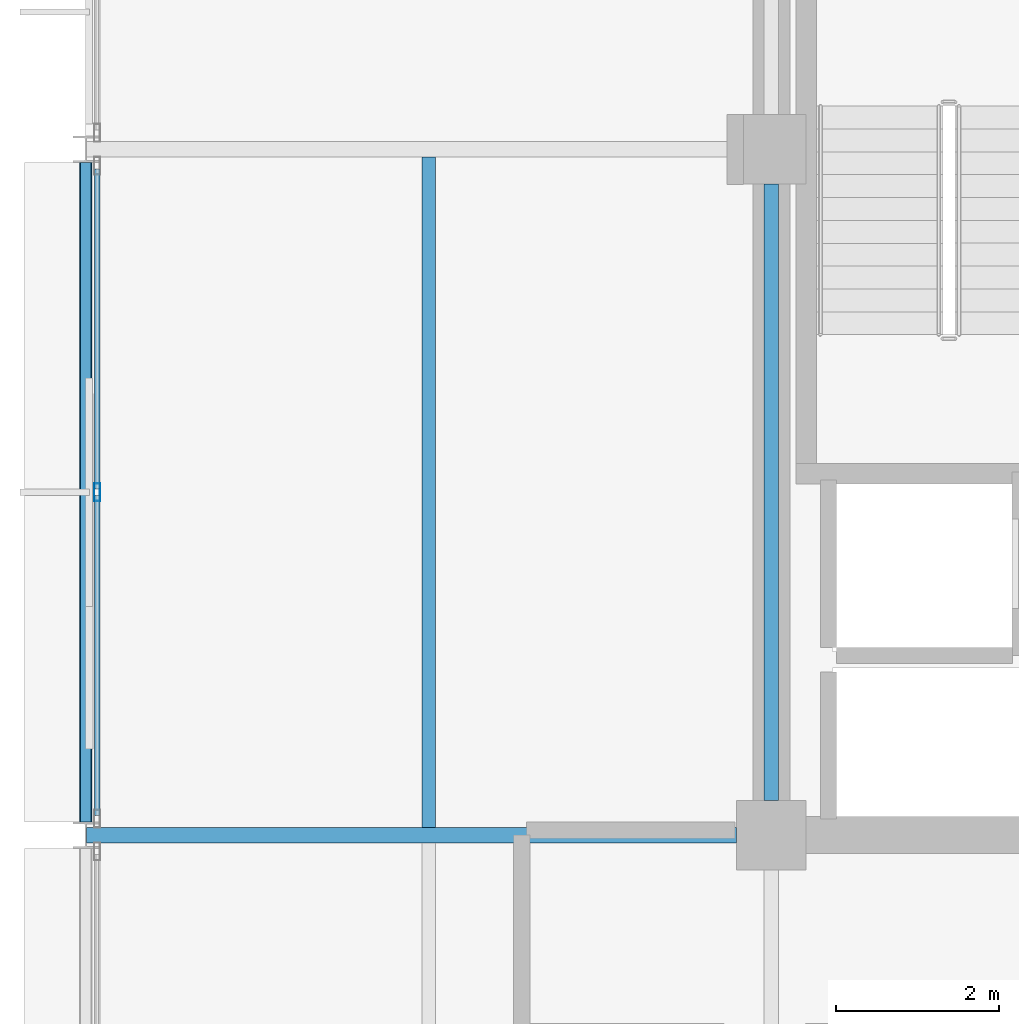
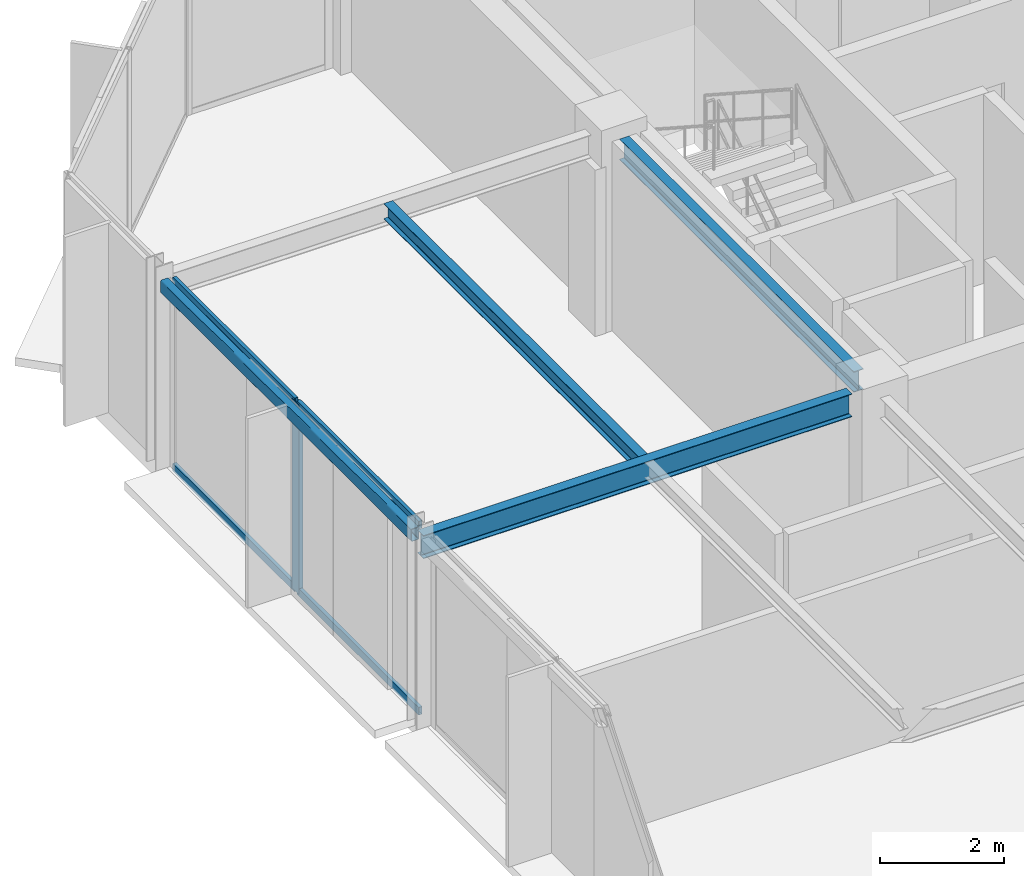
# One storey, part 8 of 23: 5 members, 4 beams, 1 element without a shape of its own.
"""IFC4 building model written with IfcOpenShell, lengths in metres."""

from ifc_helpers import new_model, si_unit, direction, frame, origin, origin_2d, place, context, subcontext, project, spatial, hollow_rectangle, i_section, extrude, material, layer, layer_set, material_profile, profile_set, type_object, element, aggregate, save


model = new_model("IFC4")

# Units and contexts
model_context = context("Model", 3, precision=1e-05, world=origin(), true_north=direction((0.0, 1.0)))
body_context = subcontext(model_context, "Body", "Model", "MODEL_VIEW")
ifc_project = project(units=[si_unit("LENGTHUNIT", "METRE"), si_unit("AREAUNIT", "SQUARE_METRE"), si_unit("VOLUMEUNIT", "CUBIC_METRE"), si_unit("PLANEANGLEUNIT", "RADIAN"), si_unit("MASSUNIT", "GRAM", prefix="KILO")], contexts=[model_context])

# Site, building, storey
site_placement = place(None, origin())
site = spatial("IfcSite", under=ifc_project, at=site_placement, CompositionType="ELEMENT")
building_placement = place(site_placement, origin())
building = spatial("IfcBuilding", under=site, at=building_placement, Name="Nerrivon Quay Data Exchange", CompositionType="ELEMENT")
storey_placement = place(building_placement, frame((0.0, 0.0, 286.199951171875)))
storey = spatial("IfcBuildingStorey", under=building, at=storey_placement, Name="L68", CompositionType="ELEMENT", Elevation=286.199951171875)

# Beams
ifc_material_1 = material(Name="Steel Grade 350", Category="steel")
ifc_material_profile_1 = material_profile(ifc_material_1, i_section(OverallWidth=0.18994140625, OverallDepth=0.4541015625, WebThickness=0.008544921875, FlangeThickness=0.0126953125, FilletRadius=0.011474609375, at=origin_2d()), Name="460UB67.1")
ifc_profile_set_1 = profile_set([ifc_material_profile_1], Name="Steel Grade 350")
beam_type_1 = type_object("IfcBeamType", Name="BM-G6-460UB67", PredefinedType="BEAM", material=ifc_profile_set_1)
beam_1_placement = place(storey_placement, frame((0.0078125, 25.199951171875, 3.498046875), z_axis=(1.0, 0.0, 0.0), x_axis=(0.0, 1.0, 0.0)))
element("IfcBeam", 1, at=beam_1_placement, inside=storey, type_object=beam_type_1, Name="L68 EW Girder Y=25.2 (0.0..8.4)", PredefinedType="BEAM", context=body_context, shape_type="SweptSolid", body=[
    extrude(i_section(OverallWidth=0.18994140625, OverallDepth=0.4541015625, WebThickness=0.008544921875, FlangeThickness=0.0126953125, FilletRadius=0.011474609375, at=origin_2d()), origin(), (0.0, 0.0, 1.0), 7.96728515625),
])
ifc_material_profile_2 = material_profile(ifc_material_1, i_section(OverallWidth=0.177978515625, OverallDepth=0.406005859375, WebThickness=0.0078125, FlangeThickness=0.0126953125, FilletRadius=0.011474609375, at=origin_2d()), Name="410UB59.7")
ifc_profile_set_2 = profile_set([ifc_material_profile_2], Name="Steel Grade 350")
beam_type_2 = type_object("IfcBeamType", Name="BM-J1-410UB60", PredefinedType="JOIST", material=ifc_profile_set_2)
beam_2_placement = place(storey_placement, frame((8.39990234375, 25.625, 3.52197265625), z_axis=(0.0, 1.0, 0.0), x_axis=(-1.0, 0.0, 0.0)))
element("IfcBeam", 2, at=beam_2_placement, inside=storey, type_object=beam_type_2, Name="L68 NS Girder X=8.4 (25.2..33.6)", PredefinedType="JOIST", context=body_context, shape_type="SweptSolid", body=[
    extrude(i_section(OverallWidth=0.177978515625, OverallDepth=0.406005859375, WebThickness=0.0078125, FlangeThickness=0.0126953125, FilletRadius=0.011474609375, at=origin_2d()), origin(), (0.0, 0.0, 1.0), 7.550048828125),
])
ifc_material_profile_3 = material_profile(ifc_material_1, i_section(OverallWidth=0.1650390625, OverallDepth=0.303955078125, WebThickness=0.006103515625, FlangeThickness=0.01025390625, FilletRadius=0.011474609375, at=origin_2d()), Name="310UB40.4")
ifc_profile_set_3 = profile_set([ifc_material_profile_3], Name="Steel Grade 350")
beam_type_3 = type_object("IfcBeamType", Name="BM-J6-310UB40", PredefinedType="JOIST", material=ifc_profile_set_3)
beam_3_placement = place(storey_placement, frame((4.199951171875, 25.294921875, 3.572998046875), z_axis=(0.0, 1.0, 0.0), x_axis=(-1.0, 0.0, 0.0)))
element("IfcBeam", 3, at=beam_3_placement, inside=storey, type_object=beam_type_3, Name="L68 Secondary Joist X=4.2 (25.2..33.6)", PredefinedType="JOIST", context=body_context, shape_type="SweptSolid", body=[
    extrude(i_section(OverallWidth=0.1650390625, OverallDepth=0.303955078125, WebThickness=0.006103515625, FlangeThickness=0.01025390625, FilletRadius=0.011474609375, at=origin_2d()), origin(), (0.0, 0.0, 1.0), 8.2099609375),
])
ifc_material_2 = material(Name="Steel Grade C350L0 (350 MPa)", Category="steel")
ifc_material_profile_4 = material_profile(ifc_material_2, hollow_rectangle(XDim=0.14990234375, YDim=0.25, WallThickness=0.009033203125, InnerFilletRadius=0.013427734375, OuterFilletRadius=0.0224609375, at=origin_2d()), Name="250x150x9.0RHS")
ifc_profile_set_4 = profile_set([ifc_material_profile_4], Name="Steel Grade C350L0 (350 MPa)")
beam_type_4 = type_object("IfcBeamType", Name="BM-SP4-250x150RHS", PredefinedType="SPANDREL", material=ifc_profile_set_4)
beam_4_placement = place(storey_placement, frame((0.0, 25.363525390625, 3.60009765625), z_axis=(0.0, 1.0, 0.0), x_axis=(-1.0, 0.0, 0.0)))
element("IfcBeam", 4, at=beam_4_placement, inside=storey, type_object=beam_type_4, Name="L68 NS Girder X=0.0 (25.2..33.6)", PredefinedType="SPANDREL", context=body_context, shape_type="SweptSolid", body=[
    extrude(hollow_rectangle(XDim=0.14990234375, YDim=0.25, WallThickness=0.009033203125, InnerFilletRadius=0.013427734375, OuterFilletRadius=0.0224609375, at=origin_2d()), origin(), (0.0, 0.0, 1.0), 8.072998046875),
])

# Curtain wall, members
ifc_material_3 = material(Name="Anodised aluminium 6063-T6", Category="aluminium")
ifc_layer = layer(ifc_material_3, 0.22998046875)
ifc_layer_set = layer_set([ifc_layer], Name="Anodised aluminium 6063-T6")
curtain_wall_type = type_object("IfcCurtainWallType", Name="CW-SYS-05", PredefinedType="NOTDEFINED", material=ifc_layer_set)
curtain_wall_placement = place(storey_placement, origin())
curtain_wall = element("IfcCurtainWall", 5, at=curtain_wall_placement, inside=storey, type_object=curtain_wall_type, Name="L68 Unitised Curtain Wall 13", PredefinedType="NOTDEFINED")
ifc_material_profile_5 = material_profile(ifc_material_3, hollow_rectangle(XDim=0.074951171875, YDim=0.219970703125, WallThickness=0.00390625, at=origin_2d()), Name="ALU-MULL-220x75")
ifc_profile_set_5 = profile_set([ifc_material_profile_5], Name="Anodised aluminium 6063-T6")
member_type_1 = type_object("IfcMemberType", Name="CWM-220x75", PredefinedType="MULLION", material=ifc_profile_set_5)
member_1_placement = place(storey_placement, frame((0.139892578125, 29.39990234375, 0.0), z_axis=(0.0, 0.0, 1.0), x_axis=(-1.0, 0.0, 0.0)))
member_1 = element("IfcMember", 6, at=member_1_placement, type_object=member_type_1, Name="CW05 mullion 2", PredefinedType="MULLION", context=body_context, shape_type="SweptSolid", body=[
    extrude(hollow_rectangle(XDim=0.074951171875, YDim=0.219970703125, WallThickness=0.00390625, at=origin_2d()), origin(), (0.0, 0.0, 1.0), 3.72509765625),
])
ifc_material_profile_6 = material_profile(ifc_material_3, hollow_rectangle(XDim=0.06494140625, YDim=0.14990234375, WallThickness=0.00341796875, at=origin_2d()), Name="ALU-TRAN-150x65")
ifc_profile_set_6 = profile_set([ifc_material_profile_6], Name="Anodised aluminium 6063-T6")
member_type_2 = type_object("IfcMemberType", Name="CWT-150x65", PredefinedType="USERDEFINED", material=ifc_profile_set_6)
member_2_placement = place(storey_placement, frame((0.139892578125, 25.4384765625, 0.032470703125), z_axis=(0.0, 1.0, 0.0), x_axis=(-1.0, 0.0, 0.0)))
member_2 = element("IfcMember", 7, at=member_2_placement, type_object=member_type_2, Name="CW05 transom 1.1", ObjectType="TRANSOM", PredefinedType="USERDEFINED", context=body_context, shape_type="SweptSolid", body=[
    extrude(hollow_rectangle(XDim=0.06494140625, YDim=0.14990234375, WallThickness=0.00341796875, at=origin_2d()), origin(), (0.0, 0.0, 1.0), 3.924072265625),
])
member_3_placement = place(storey_placement, frame((0.139892578125, 25.4384765625, 3.692626953125), z_axis=(0.0, 1.0, 0.0), x_axis=(-1.0, 0.0, 0.0)))
member_3 = element("IfcMember", 8, at=member_3_placement, type_object=member_type_2, Name="CW05 transom 1.2", ObjectType="TRANSOM", PredefinedType="USERDEFINED", context=body_context, shape_type="SweptSolid", body=[
    extrude(hollow_rectangle(XDim=0.06494140625, YDim=0.14990234375, WallThickness=0.00341796875, at=origin_2d()), origin(), (0.0, 0.0, 1.0), 3.924072265625),
])
member_4_placement = place(storey_placement, frame((0.139892578125, 29.4375, 0.032470703125), z_axis=(0.0, 1.0, 0.0), x_axis=(-1.0, 0.0, 0.0)))
member_4 = element("IfcMember", 9, at=member_4_placement, type_object=member_type_2, Name="CW05 transom 2.1", ObjectType="TRANSOM", PredefinedType="USERDEFINED", context=body_context, shape_type="SweptSolid", body=[
    extrude(hollow_rectangle(XDim=0.06494140625, YDim=0.14990234375, WallThickness=0.00341796875, at=origin_2d()), origin(), (0.0, 0.0, 1.0), 3.924072265625),
])
member_5_placement = place(storey_placement, frame((0.139892578125, 29.4375, 3.692626953125), z_axis=(0.0, 1.0, 0.0), x_axis=(-1.0, 0.0, 0.0)))
member_5 = element("IfcMember", 10, at=member_5_placement, type_object=member_type_2, Name="CW05 transom 2.2", ObjectType="TRANSOM", PredefinedType="USERDEFINED", context=body_context, shape_type="SweptSolid", body=[
    extrude(hollow_rectangle(XDim=0.06494140625, YDim=0.14990234375, WallThickness=0.00341796875, at=origin_2d()), origin(), (0.0, 0.0, 1.0), 3.924072265625),
])
aggregate(curtain_wall, [member_1, member_2, member_3, member_4, member_5])

save(model, "model.ifc")
